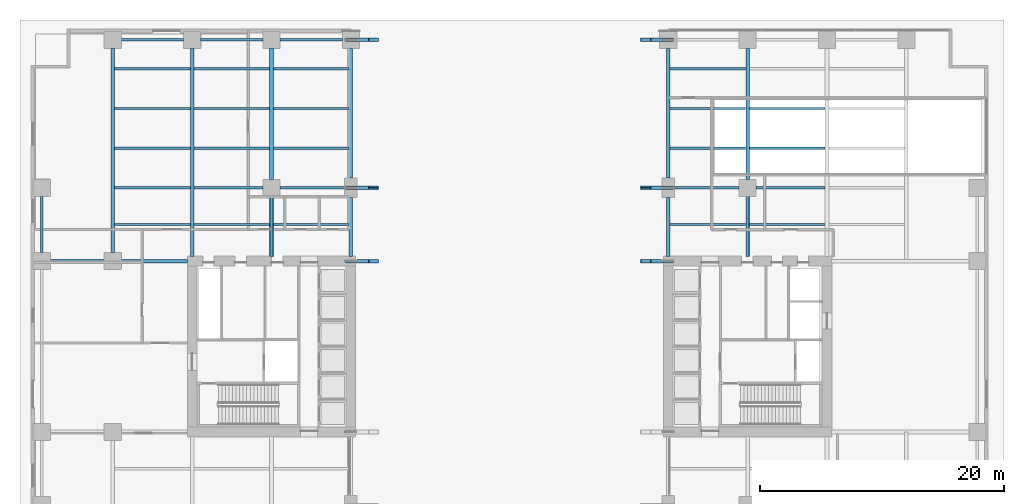
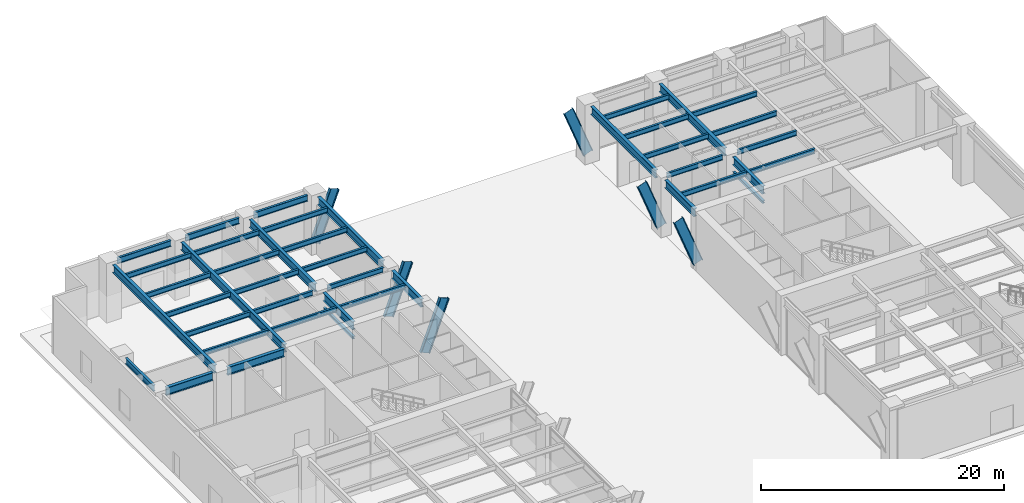
# One storey, part 5 of 20: 42 beams, 6 members.
"""IFC4 building model written with IfcOpenShell, lengths in metres."""

from ifc_helpers import new_model, si_unit, direction, frame, origin, origin_2d, place, context, subcontext, project, spatial, i_section, extrude, material, material_profile, profile_set, type_object, element, save


model = new_model("IFC4")

# Units and contexts
model_context = context("Model", 3, precision=1e-05, world=origin(), true_north=direction((0.0, 1.0)))
body_context = subcontext(model_context, "Body", "Model", "MODEL_VIEW")
ifc_project = project(units=[si_unit("LENGTHUNIT", "METRE"), si_unit("AREAUNIT", "SQUARE_METRE"), si_unit("VOLUMEUNIT", "CUBIC_METRE"), si_unit("PLANEANGLEUNIT", "RADIAN"), si_unit("MASSUNIT", "GRAM", prefix="KILO")], contexts=[model_context])

# Site, building, storey
site_placement = place(None, origin())
site = spatial("IfcSite", under=ifc_project, at=site_placement, CompositionType="ELEMENT")
building_placement = place(site_placement, origin())
building = spatial("IfcBuilding", under=site, at=building_placement, Name="Putna Gate Headquarters", CompositionType="ELEMENT")
storey_placement = place(building_placement, origin())
storey = spatial("IfcBuildingStorey", under=building, at=storey_placement, Name="L00", CompositionType="ELEMENT", Elevation=0.0)

# Beams
ifc_material_1 = material(Name="Steel S355J2", Category="steel")
ifc_material_profile_1 = material_profile(ifc_material_1, i_section(OverallWidth=0.300048828125, OverallDepth=0.800048828125, WebThickness=0.017578125, FlangeThickness=0.032958984375, at=origin_2d()), Name="Steel S355J2")
ifc_profile_set_1 = profile_set([ifc_material_profile_1], Name="Steel S355J2")
beam_type_1 = type_object("IfcBeamType", Name="BM-GIRD-P-HEB800", PredefinedType="USERDEFINED", material=ifc_profile_set_1)
beam_1_placement = place(storey_placement, frame((1.367919921875, 33.0, 5.320068359375), z_axis=(1.0, 0.0, 0.0), x_axis=(0.0, 1.0, 0.0)))
element("IfcBeam", 1, at=beam_1_placement, inside=storey, type_object=beam_type_1, Name="L00 West Wing Girder Y33-1", ObjectType="GIRDER", PredefinedType="USERDEFINED", context=body_context, shape_type="SweptSolid", body=[
    extrude(i_section(OverallWidth=0.300048828125, OverallDepth=0.800048828125, WebThickness=0.017578125, FlangeThickness=0.032958984375, at=origin_2d()), origin(), (0.0, 0.0, 1.0), 4.444091796875),
])
beam_2_placement = place(storey_placement, frame((7.18798828125, 33.0, 5.320068359375), z_axis=(1.0, 0.0, 0.0), x_axis=(0.0, 1.0, 0.0)))
element("IfcBeam", 2, at=beam_2_placement, inside=storey, type_object=beam_type_1, Name="L00 West Wing Girder Y33-2", ObjectType="GIRDER", PredefinedType="USERDEFINED", context=body_context, shape_type="SweptSolid", body=[
    extrude(i_section(OverallWidth=0.300048828125, OverallDepth=0.800048828125, WebThickness=0.017578125, FlangeThickness=0.032958984375, at=origin_2d()), origin(), (0.0, 0.0, 1.0), 5.427001953125),
])
beam_3_placement = place(storey_placement, frame((6.5, 33.68798828125, 5.320068359375), z_axis=(0.0, 1.0, 0.0), x_axis=(-1.0, 0.0, 0.0)))
element("IfcBeam", 3, at=beam_3_placement, inside=storey, type_object=beam_type_1, Name="L00 North Primary Girder X6", ObjectType="GIRDER", PredefinedType="USERDEFINED", context=body_context, shape_type="SweptSolid", body=[
    extrude(i_section(OverallWidth=0.300048828125, OverallDepth=0.800048828125, WebThickness=0.017578125, FlangeThickness=0.032958984375, at=origin_2d()), origin(), (0.0, 0.0, 1.0), 16.743896484375),
])
beam_4_placement = place(storey_placement, frame((13.0, 33.385009765625, 5.320068359375), z_axis=(0.0, 1.0, 0.0), x_axis=(-1.0, 0.0, 0.0)))
element("IfcBeam", 4, at=beam_4_placement, inside=storey, type_object=beam_type_1, Name="L00 North Primary Girder X13", ObjectType="GIRDER", PredefinedType="USERDEFINED", context=body_context, shape_type="SweptSolid", body=[
    extrude(i_section(OverallWidth=0.300048828125, OverallDepth=0.800048828125, WebThickness=0.017578125, FlangeThickness=0.032958984375, at=origin_2d()), origin(), (0.0, 0.0, 1.0), 17.046875),
])
beam_5_placement = place(storey_placement, frame((19.5, 33.385009765625, 5.320068359375), z_axis=(0.0, 1.0, 0.0), x_axis=(-1.0, 0.0, 0.0)))
element("IfcBeam", 5, at=beam_5_placement, inside=storey, type_object=beam_type_1, Name="L00 North Primary Girder X19-1", ObjectType="GIRDER", PredefinedType="USERDEFINED", context=body_context, shape_type="SweptSolid", body=[
    extrude(i_section(OverallWidth=0.300048828125, OverallDepth=0.800048828125, WebThickness=0.017578125, FlangeThickness=0.032958984375, at=origin_2d()), origin(), (0.0, 0.0, 1.0), 4.927001953125),
])
beam_6_placement = place(storey_placement, frame((19.5, 39.68798828125, 5.320068359375), z_axis=(0.0, 1.0, 0.0), x_axis=(-1.0, 0.0, 0.0)))
element("IfcBeam", 6, at=beam_6_placement, inside=storey, type_object=beam_type_1, Name="L00 North Primary Girder X19-2", ObjectType="GIRDER", PredefinedType="USERDEFINED", context=body_context, shape_type="SweptSolid", body=[
    extrude(i_section(OverallWidth=0.300048828125, OverallDepth=0.800048828125, WebThickness=0.017578125, FlangeThickness=0.032958984375, at=origin_2d()), origin(), (0.0, 0.0, 1.0), 10.743896484375),
])
beam_7_placement = place(storey_placement, frame((26.0, 33.385009765625, 5.320068359375), z_axis=(0.0, 1.0, 0.0), x_axis=(-1.0, 0.0, 0.0)))
element("IfcBeam", 7, at=beam_7_placement, inside=storey, type_object=beam_type_1, Name="L00 North Primary Girder X26-1", ObjectType="GIRDER", PredefinedType="USERDEFINED", context=body_context, shape_type="SweptSolid", body=[
    extrude(i_section(OverallWidth=0.300048828125, OverallDepth=0.800048828125, WebThickness=0.017578125, FlangeThickness=0.032958984375, at=origin_2d()), origin(), (0.0, 0.0, 1.0), 4.826904296875),
])
beam_8_placement = place(storey_placement, frame((26.0, 39.7880859375, 5.320068359375), z_axis=(0.0, 1.0, 0.0), x_axis=(-1.0, 0.0, 0.0)))
element("IfcBeam", 8, at=beam_8_placement, inside=storey, type_object=beam_type_1, Name="L00 North Primary Girder X26-2", ObjectType="GIRDER", PredefinedType="USERDEFINED", context=body_context, shape_type="SweptSolid", body=[
    extrude(i_section(OverallWidth=0.300048828125, OverallDepth=0.800048828125, WebThickness=0.017578125, FlangeThickness=0.032958984375, at=origin_2d()), origin(), (0.0, 0.0, 1.0), 10.643798828125),
])
beam_9_placement = place(storey_placement, frame((52.0, 33.385009765625, 5.320068359375), z_axis=(0.0, 1.0, 0.0), x_axis=(-1.0, 0.0, 0.0)))
element("IfcBeam", 9, at=beam_9_placement, inside=storey, type_object=beam_type_1, Name="L00 North Primary Girder X52-1", ObjectType="GIRDER", PredefinedType="USERDEFINED", context=body_context, shape_type="SweptSolid", body=[
    extrude(i_section(OverallWidth=0.300048828125, OverallDepth=0.800048828125, WebThickness=0.017578125, FlangeThickness=0.032958984375, at=origin_2d()), origin(), (0.0, 0.0, 1.0), 4.826904296875),
])
beam_10_placement = place(storey_placement, frame((52.0, 39.7880859375, 5.320068359375), z_axis=(0.0, 1.0, 0.0), x_axis=(-1.0, 0.0, 0.0)))
element("IfcBeam", 10, at=beam_10_placement, inside=storey, type_object=beam_type_1, Name="L00 North Primary Girder X52-2", ObjectType="GIRDER", PredefinedType="USERDEFINED", context=body_context, shape_type="SweptSolid", body=[
    extrude(i_section(OverallWidth=0.300048828125, OverallDepth=0.800048828125, WebThickness=0.017578125, FlangeThickness=0.032958984375, at=origin_2d()), origin(), (0.0, 0.0, 1.0), 10.643798828125),
])
beam_11_placement = place(storey_placement, frame((58.5, 33.385009765625, 5.320068359375), z_axis=(0.0, 1.0, 0.0), x_axis=(-1.0, 0.0, 0.0)))
element("IfcBeam", 11, at=beam_11_placement, inside=storey, type_object=beam_type_1, Name="L00 North Primary Girder X58-1", ObjectType="GIRDER", PredefinedType="USERDEFINED", context=body_context, shape_type="SweptSolid", body=[
    extrude(i_section(OverallWidth=0.300048828125, OverallDepth=0.800048828125, WebThickness=0.017578125, FlangeThickness=0.032958984375, at=origin_2d()), origin(), (0.0, 0.0, 1.0), 4.927001953125),
])
beam_12_placement = place(storey_placement, frame((58.5, 39.68798828125, 5.320068359375), z_axis=(0.0, 1.0, 0.0), x_axis=(-1.0, 0.0, 0.0)))
element("IfcBeam", 12, at=beam_12_placement, inside=storey, type_object=beam_type_1, Name="L00 North Primary Girder X58-2", ObjectType="GIRDER", PredefinedType="USERDEFINED", context=body_context, shape_type="SweptSolid", body=[
    extrude(i_section(OverallWidth=0.300048828125, OverallDepth=0.800048828125, WebThickness=0.017578125, FlangeThickness=0.032958984375, at=origin_2d()), origin(), (0.0, 0.0, 1.0), 10.743896484375),
])
ifc_material_profile_2 = material_profile(ifc_material_1, i_section(OverallWidth=0.239990234375, OverallDepth=0.239990234375, WebThickness=0.010009765625, FlangeThickness=0.01708984375, at=origin_2d()), Name="Steel S355J2")
ifc_profile_set_2 = profile_set([ifc_material_profile_2], Name="Steel S355J2")
beam_type_2 = type_object("IfcBeamType", Name="BM-LINTEL-HEB240", PredefinedType="LINTEL", material=ifc_profile_set_2)
for number, where, z_axis, x_axis, name in (
    (13, (19.5, 33.3798828125, 4.10009765625), (0.0, 1.0, 0.0), (-1.0, 0.0, 0.0), "L00 Core Spine Portal Header Lintel W"),
    (14, (58.5, 33.3798828125, 4.10009765625), (0.0, 1.0, 0.0), (-1.0, 0.0, 0.0), "L00 Core Spine Portal Header Lintel E"),
):
    element("IfcBeam", number, at=place(storey_placement, frame(where, z_axis=z_axis, x_axis=x_axis)), inside=storey, type_object=beam_type_2, Name=name, PredefinedType="LINTEL", context=body_context, shape_type="SweptSolid", body=[
        extrude(i_section(OverallWidth=0.239990234375, OverallDepth=0.239990234375, WebThickness=0.010009765625, FlangeThickness=0.01708984375, at=origin_2d()), origin(), (0.0, 0.0, 1.0), 4.940185546875),
    ])
ifc_material_profile_3 = material_profile(ifc_material_1, i_section(OverallWidth=0.199951171875, OverallDepth=0.5, WebThickness=0.01025390625, FlangeThickness=0.01611328125, at=origin_2d()), Name="Steel S355J2")
ifc_profile_set_3 = profile_set([ifc_material_profile_3], Name="Steel S355J2")
beam_type_3 = type_object("IfcBeamType", Name="BM-SEC-P-IPE500", PredefinedType="BEAM", material=ifc_profile_set_3)
for number, where, z_axis, x_axis, name in (
    (15, (6.654052734375, 36.0, 5.469970703125), (1.0, 0.0, 0.0), (0.0, 1.0, 0.0), "L00 North Secondary Beam 1"),
    (16, (6.654052734375, 39.0, 5.469970703125), (1.0, 0.0, 0.0), (0.0, 1.0, 0.0), "L00 North Secondary Beam 1"),
    (17, (6.654052734375, 42.25, 5.469970703125), (1.0, 0.0, 0.0), (0.0, 1.0, 0.0), "L00 North Secondary Beam 1"),
    (18, (6.654052734375, 45.5, 5.469970703125), (1.0, 0.0, 0.0), (0.0, 1.0, 0.0), "L00 North Secondary Beam 1"),
    (19, (6.654052734375, 48.75, 5.469970703125), (1.0, 0.0, 0.0), (0.0, 1.0, 0.0), "L00 North Secondary Beam 1"),
    (20, (13.154052734375, 36.0, 5.469970703125), (1.0, 0.0, 0.0), (0.0, 1.0, 0.0), "L00 North Secondary Beam 2"),
):
    element("IfcBeam", number, at=place(storey_placement, frame(where, z_axis=z_axis, x_axis=x_axis)), inside=storey, type_object=beam_type_3, Name=name, PredefinedType="BEAM", context=body_context, shape_type="SweptSolid", body=[
        extrude(i_section(OverallWidth=0.199951171875, OverallDepth=0.5, WebThickness=0.01025390625, FlangeThickness=0.01611328125, at=origin_2d()), origin(), (0.0, 0.0, 1.0), 6.19189453125),
    ])
beam_13_placement = place(storey_placement, frame((13.154052734375, 39.0, 5.469970703125), z_axis=(1.0, 0.0, 0.0), x_axis=(0.0, 1.0, 0.0)))
element("IfcBeam", 21, at=beam_13_placement, inside=storey, type_object=beam_type_3, Name="L00 North Secondary Beam 2", PredefinedType="BEAM", context=body_context, shape_type="SweptSolid", body=[
    extrude(i_section(OverallWidth=0.199951171875, OverallDepth=0.5, WebThickness=0.01025390625, FlangeThickness=0.01611328125, at=origin_2d()), origin(), (0.0, 0.0, 1.0), 5.657958984375),
])
for number, where, z_axis, x_axis, name in (
    (22, (13.154052734375, 42.25, 5.469970703125), (1.0, 0.0, 0.0), (0.0, 1.0, 0.0), "L00 North Secondary Beam 2"),
    (23, (13.154052734375, 45.5, 5.469970703125), (1.0, 0.0, 0.0), (0.0, 1.0, 0.0), "L00 North Secondary Beam 2"),
    (24, (13.154052734375, 48.75, 5.469970703125), (1.0, 0.0, 0.0), (0.0, 1.0, 0.0), "L00 North Secondary Beam 2"),
    (25, (19.654052734375, 36.0, 5.469970703125), (1.0, 0.0, 0.0), (0.0, 1.0, 0.0), "L00 North Secondary Beam 3"),
):
    element("IfcBeam", number, at=place(storey_placement, frame(where, z_axis=z_axis, x_axis=x_axis)), inside=storey, type_object=beam_type_3, Name=name, PredefinedType="BEAM", context=body_context, shape_type="SweptSolid", body=[
        extrude(i_section(OverallWidth=0.199951171875, OverallDepth=0.5, WebThickness=0.01025390625, FlangeThickness=0.01611328125, at=origin_2d()), origin(), (0.0, 0.0, 1.0), 6.19189453125),
    ])
beam_14_placement = place(storey_placement, frame((20.18798828125, 39.0, 5.469970703125), z_axis=(1.0, 0.0, 0.0), x_axis=(0.0, 1.0, 0.0)))
element("IfcBeam", 26, at=beam_14_placement, inside=storey, type_object=beam_type_3, Name="L00 North Secondary Beam 3", PredefinedType="BEAM", context=body_context, shape_type="SweptSolid", body=[
    extrude(i_section(OverallWidth=0.199951171875, OverallDepth=0.5, WebThickness=0.01025390625, FlangeThickness=0.01611328125, at=origin_2d()), origin(), (0.0, 0.0, 1.0), 5.323974609375),
])
for number, where, z_axis, x_axis, name in (
    (27, (19.654052734375, 42.25, 5.469970703125), (1.0, 0.0, 0.0), (0.0, 1.0, 0.0), "L00 North Secondary Beam 3"),
    (28, (19.654052734375, 45.5, 5.469970703125), (1.0, 0.0, 0.0), (0.0, 1.0, 0.0), "L00 North Secondary Beam 3"),
    (29, (19.654052734375, 48.75, 5.469970703125), (1.0, 0.0, 0.0), (0.0, 1.0, 0.0), "L00 North Secondary Beam 3"),
    (30, (52.154052734375, 36.0, 5.469970703125), (1.0, 0.0, 0.0), (0.0, 1.0, 0.0), "L00 North Secondary Beam 5"),
):
    element("IfcBeam", number, at=place(storey_placement, frame(where, z_axis=z_axis, x_axis=x_axis)), inside=storey, type_object=beam_type_3, Name=name, PredefinedType="BEAM", context=body_context, shape_type="SweptSolid", body=[
        extrude(i_section(OverallWidth=0.199951171875, OverallDepth=0.5, WebThickness=0.01025390625, FlangeThickness=0.01611328125, at=origin_2d()), origin(), (0.0, 0.0, 1.0), 6.19189453125),
    ])
beam_15_placement = place(storey_placement, frame((52.488037109375, 39.0, 5.469970703125), z_axis=(1.0, 0.0, 0.0), x_axis=(0.0, 1.0, 0.0)))
element("IfcBeam", 31, at=beam_15_placement, inside=storey, type_object=beam_type_3, Name="L00 North Secondary Beam 5", PredefinedType="BEAM", context=body_context, shape_type="SweptSolid", body=[
    extrude(i_section(OverallWidth=0.199951171875, OverallDepth=0.5, WebThickness=0.01025390625, FlangeThickness=0.01611328125, at=origin_2d()), origin(), (0.0, 0.0, 1.0), 5.323974609375),
])
for number, where, z_axis, x_axis, name in (
    (32, (52.154052734375, 42.25, 5.469970703125), (1.0, 0.0, 0.0), (0.0, 1.0, 0.0), "L00 North Secondary Beam 5"),
    (33, (52.154052734375, 45.5, 5.469970703125), (1.0, 0.0, 0.0), (0.0, 1.0, 0.0), "L00 North Secondary Beam 5"),
    (34, (52.154052734375, 48.75, 5.469970703125), (1.0, 0.0, 0.0), (0.0, 1.0, 0.0), "L00 North Secondary Beam 5"),
    (35, (58.654052734375, 36.0, 5.469970703125), (1.0, 0.0, 0.0), (0.0, 1.0, 0.0), "L00 North Secondary Beam 6"),
):
    element("IfcBeam", number, at=place(storey_placement, frame(where, z_axis=z_axis, x_axis=x_axis)), inside=storey, type_object=beam_type_3, Name=name, PredefinedType="BEAM", context=body_context, shape_type="SweptSolid", body=[
        extrude(i_section(OverallWidth=0.199951171875, OverallDepth=0.5, WebThickness=0.01025390625, FlangeThickness=0.01611328125, at=origin_2d()), origin(), (0.0, 0.0, 1.0), 6.19189453125),
    ])
beam_16_placement = place(storey_placement, frame((59.18798828125, 39.0, 5.469970703125), z_axis=(1.0, 0.0, 0.0), x_axis=(0.0, 1.0, 0.0)))
element("IfcBeam", 36, at=beam_16_placement, inside=storey, type_object=beam_type_3, Name="L00 North Secondary Beam 6", PredefinedType="BEAM", context=body_context, shape_type="SweptSolid", body=[
    extrude(i_section(OverallWidth=0.199951171875, OverallDepth=0.5, WebThickness=0.01025390625, FlangeThickness=0.01611328125, at=origin_2d()), origin(), (0.0, 0.0, 1.0), 5.657958984375),
])
for number, where, z_axis, x_axis, name in (
    (37, (58.654052734375, 42.25, 5.469970703125), (1.0, 0.0, 0.0), (0.0, 1.0, 0.0), "L00 North Secondary Beam 6"),
    (38, (58.654052734375, 45.5, 5.469970703125), (1.0, 0.0, 0.0), (0.0, 1.0, 0.0), "L00 North Secondary Beam 6"),
):
    element("IfcBeam", number, at=place(storey_placement, frame(where, z_axis=z_axis, x_axis=x_axis)), inside=storey, type_object=beam_type_3, Name=name, PredefinedType="BEAM", context=body_context, shape_type="SweptSolid", body=[
        extrude(i_section(OverallWidth=0.199951171875, OverallDepth=0.5, WebThickness=0.01025390625, FlangeThickness=0.01611328125, at=origin_2d()), origin(), (0.0, 0.0, 1.0), 6.19189453125),
    ])
ifc_material_profile_4 = material_profile(ifc_material_1, i_section(OverallWidth=0.219970703125, OverallDepth=0.60009765625, WebThickness=0.011962890625, FlangeThickness=0.01904296875, at=origin_2d()), Name="Steel S355J2")
ifc_profile_set_4 = profile_set([ifc_material_profile_4], Name="Steel S355J2")
beam_type_4 = type_object("IfcBeamType", Name="BM-SPAN-P-IPE600", PredefinedType="SPANDREL", material=ifc_profile_set_4)
for number, where, z_axis, x_axis, name in (
    (39, (7.18798828125, 51.1201171875, 5.419921875), (1.0, 0.0, 0.0), (0.0, 1.0, 0.0), "L00 N Perimeter Spandrel 1"),
    (40, (13.68798828125, 51.1201171875, 5.419921875), (1.0, 0.0, 0.0), (0.0, 1.0, 0.0), "L00 N Perimeter Spandrel 2"),
    (41, (20.18798828125, 51.1201171875, 5.419921875), (1.0, 0.0, 0.0), (0.0, 1.0, 0.0), "L00 N Perimeter Spandrel 3"),
):
    element("IfcBeam", number, at=place(storey_placement, frame(where, z_axis=z_axis, x_axis=x_axis)), inside=storey, type_object=beam_type_4, Name=name, PredefinedType="SPANDREL", context=body_context, shape_type="SweptSolid", body=[
        extrude(i_section(OverallWidth=0.219970703125, OverallDepth=0.60009765625, WebThickness=0.011962890625, FlangeThickness=0.01904296875, at=origin_2d()), origin(), (0.0, 0.0, 1.0), 5.1240234375),
    ])
beam_17_placement = place(storey_placement, frame((0.679931640625, 33.68798828125, 5.419921875), z_axis=(0.0, 1.0, 0.0), x_axis=(-1.0, 0.0, 0.0)))
element("IfcBeam", 42, at=beam_17_placement, inside=storey, type_object=beam_type_4, Name="L00 W End Spandrel 3", PredefinedType="SPANDREL", context=body_context, shape_type="SweptSolid", body=[
    extrude(i_section(OverallWidth=0.219970703125, OverallDepth=0.60009765625, WebThickness=0.011962890625, FlangeThickness=0.01904296875, at=origin_2d()), origin(), (0.0, 0.0, 1.0), 4.6240234375),
])

# Members
ifc_material_2 = material(Name="Steel S460M", Category="steel")
ifc_material_profile_5 = material_profile(ifc_material_2, i_section(OverallWidth=0.302001953125, OverallDepth=0.909912109375, WebThickness=0.02099609375, FlangeThickness=0.0400390625, at=origin_2d()), Name="Steel S460M")
ifc_profile_set_5 = profile_set([ifc_material_profile_5], Name="Steel S460M")
member_type_1 = type_object("IfcMemberType", Name="MEM-ARCH-CHORD-HEM900", PredefinedType="STRUT", material=ifc_profile_set_5)
for number, where, z_axis, x_axis, name in (
    (43, (26.0, 51.1201171875, 0.550048828125), (0.355581261546, 0.0, 0.934645369345), (0.0, 1.0, 0.0), "Giant Parabolic Arch Chord N-1"),
    (44, (50.142822265625, 51.1201171875, 5.431640625), (0.355581261546, 0.0, -0.934645369345), (0.0, 1.0, 0.0), "Giant Parabolic Arch Chord N-14"),
):
    element("IfcMember", number, at=place(storey_placement, frame(where, z_axis=z_axis, x_axis=x_axis)), inside=storey, type_object=member_type_1, Name=name, PredefinedType="STRUT", context=body_context, shape_type="SweptSolid", body=[
        extrude(i_section(OverallWidth=0.302001953125, OverallDepth=0.909912109375, WebThickness=0.02099609375, FlangeThickness=0.0400390625, at=origin_2d()), origin(), (0.0, 0.0, 1.0), 5.222900390625),
    ])
ifc_material_profile_6 = material_profile(ifc_material_2, i_section(OverallWidth=0.302001953125, OverallDepth=0.909912109375, WebThickness=0.02099609375, FlangeThickness=0.0400390625, at=origin_2d()), Name="Steel S460M")
ifc_profile_set_6 = profile_set([ifc_material_profile_6], Name="Steel S460M")
member_type_2 = type_object("IfcMemberType", Name="MEM-ARCH-CHORD-INT-HEM900", PredefinedType="STRUT", material=ifc_profile_set_6)
for number, where, z_axis, x_axis, name in (
    (45, (26.0, 33.0, 0.550048828125), (0.355581261546, 0.0, 0.934645369345), (0.0, 1.0, 0.0), "Giant Parabolic Arch Chord AN-1"),
    (46, (50.142822265625, 33.0, 5.431640625), (0.355581261546, 0.0, -0.934645369345), (0.0, 1.0, 0.0), "Giant Parabolic Arch Chord AN-14"),
    (47, (26.0, 39.0, 0.550048828125), (0.355581261546, 0.0, 0.934645369345), (0.0, 1.0, 0.0), "Giant Parabolic Arch Chord CN-1"),
    (48, (50.142822265625, 39.0, 5.431640625), (0.355581261546, 0.0, -0.934645369345), (0.0, 1.0, 0.0), "Giant Parabolic Arch Chord CN-14"),
):
    element("IfcMember", number, at=place(storey_placement, frame(where, z_axis=z_axis, x_axis=x_axis)), inside=storey, type_object=member_type_2, Name=name, PredefinedType="STRUT", context=body_context, shape_type="SweptSolid", body=[
        extrude(i_section(OverallWidth=0.302001953125, OverallDepth=0.909912109375, WebThickness=0.02099609375, FlangeThickness=0.0400390625, at=origin_2d()), origin(), (0.0, 0.0, 1.0), 5.222900390625),
    ])

save(model, "model.ifc")
